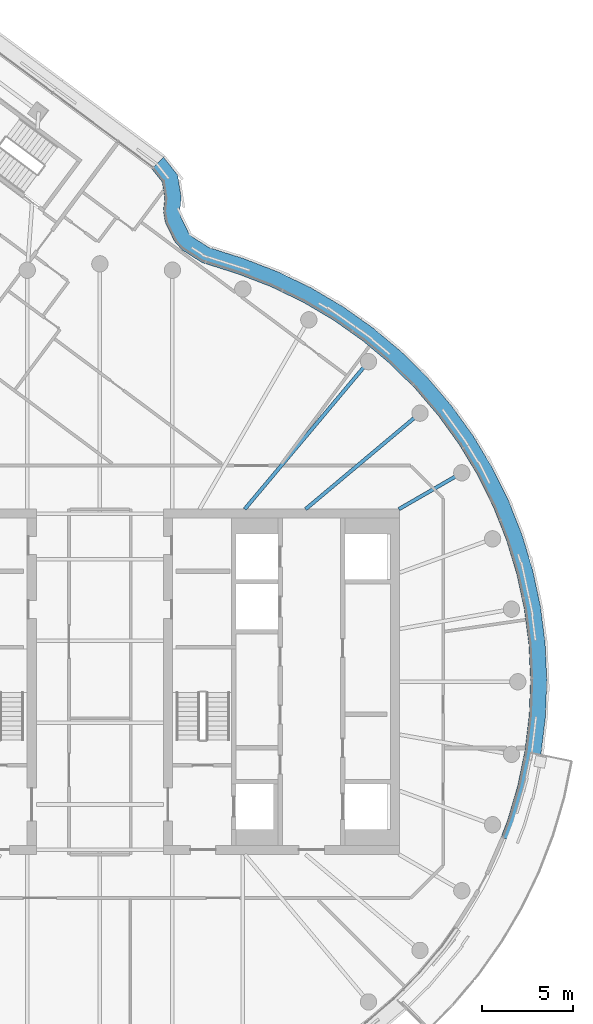
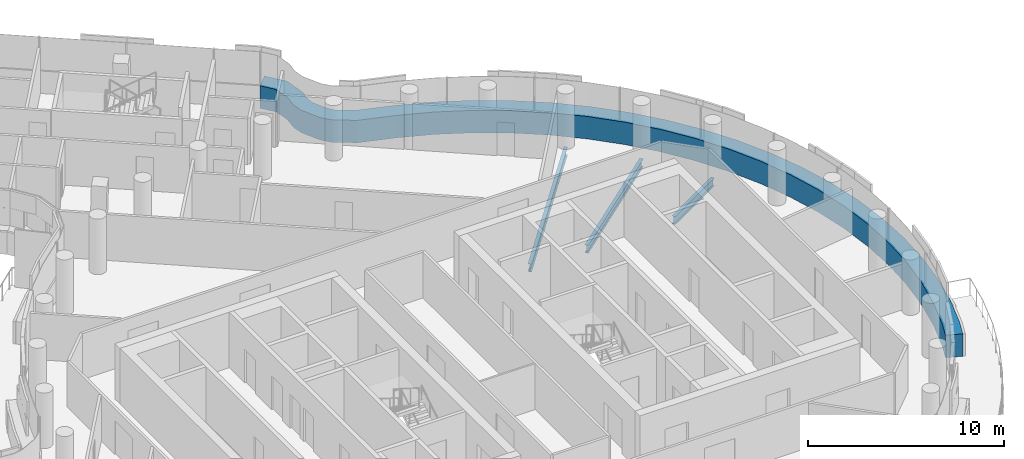
# One storey, part 12 of 27: 3 beams, 1 member, 1 element without a shape of its own.
"""IFC4 building model written with IfcOpenShell, lengths in metres."""

import ifcopenshell
import ifcopenshell.guid

model = None  # the IFC model being written
_history = None  # IfcOwnerHistory: only IFC2X3 demands one
_inside = {}  # id of a spatial element -> (the spatial element, [elements in it])
_under = {}  # id of a project, library or spatial element -> (it, [spatial elements below it])
_declared = {}  # id of a project -> (the project, [libraries it declares])
_typed = {}  # id of a type object -> (the type object, [elements of that type])
_made_of = {}  # id of a material, layer set ... -> (it, [elements and type objects made of it])


def new_model(schema):
    """Start an empty IFC model of exactly this schema.

    Asked for "IFC4X3", IfcOpenShell would pick the latest addendum, in which some entities
    have other attributes; the version numbers below select the first issue.
    IFC2X3 requires an IfcOwnerHistory on every rooted entity: one is made here for all.
    """
    global model, _history
    if schema == "IFC4X3":
        model = ifcopenshell.file(schema_version=(4, 3, 0, 0))
    else:
        model = ifcopenshell.file(schema=schema)
    _inside.clear()
    _under.clear()
    _declared.clear()
    _typed.clear()
    _made_of.clear()
    _history = None
    if model.schema == "IFC2X3":
        org = make("IfcOrganization", Name="unknown")
        user = make(
            "IfcPersonAndOrganization",
            ThePerson=make("IfcPerson", FamilyName="unknown"),
            TheOrganization=org,
        )
        app = make(
            "IfcApplication",
            ApplicationDeveloper=org,
            Version="unknown",
            ApplicationFullName="unknown",
            ApplicationIdentifier="unknown",
        )
        _history = make(
            "IfcOwnerHistory",
            OwningUser=user,
            OwningApplication=app,
            ChangeAction="ADDED",
            CreationDate=0,
        )
    return model


def make(cls, **values):
    """One entity of the class cls with the attributes given. An attribute that is None is left unset."""
    return model.create_entity(
        cls, **{name: value for name, value in values.items() if value is not None}
    )


def rooted(cls, **values):
    """An entity with a GlobalId (a new one), such as an element, a storey or a relation."""
    return make(cls, GlobalId=ifcopenshell.guid.new(), OwnerHistory=_history, **values)


def si_unit(unit_type, name, prefix=None):
    """IfcSIUnit, for example si_unit("LENGTHUNIT", "METRE", prefix="MILLI")."""
    return make("IfcSIUnit", UnitType=unit_type, Prefix=prefix, Name=name)


def assignment(units):
    """IfcUnitAssignment: the units of a project."""
    return None if units is None else make("IfcUnitAssignment", Units=units)


def point(xyz):
    """IfcCartesianPoint."""
    return None if xyz is None else make("IfcCartesianPoint", Coordinates=xyz)


def direction(xyz):
    """IfcDirection."""
    return None if xyz is None else make("IfcDirection", DirectionRatios=xyz)


def frame(location, z_axis=None, x_axis=None):
    """IfcAxis2Placement3D, a coordinate frame: its origin and axes. An axis left out is left unset."""
    return make(
        "IfcAxis2Placement3D",
        Location=point(location),
        Axis=direction(z_axis),
        RefDirection=direction(x_axis),
    )


def frame_2d(location, x_axis=None):
    """IfcAxis2Placement2D, a coordinate frame in the plane: its origin and x axis."""
    return make(
        "IfcAxis2Placement2D", Location=point(location), RefDirection=direction(x_axis)
    )


def origin():
    """The frame at (0, 0, 0) with its axes left unset."""
    return frame((0.0, 0.0, 0.0))


def origin_2d():
    """The frame at (0, 0) in the plane with its x axis left unset."""
    return frame_2d((0.0, 0.0))


def place(relative_to, where):
    """IfcLocalPlacement: puts the frame where relative to a parent placement (None: the world)."""
    return make(
        "IfcLocalPlacement", PlacementRelTo=relative_to, RelativePlacement=where
    )


def context(
    kind, dimensions, precision=None, world=None, true_north=None, identifier=None
):
    """IfcGeometricRepresentationContext, for example the 3D "Model" context."""
    return make(
        "IfcGeometricRepresentationContext",
        ContextIdentifier=identifier,
        ContextType=kind,
        CoordinateSpaceDimension=dimensions,
        Precision=precision,
        WorldCoordinateSystem=world,
        TrueNorth=true_north,
    )


def subcontext(parent, identifier, kind, view, scale=None):
    """IfcGeometricRepresentationSubContext, for example "Body" below "Model"."""
    return make(
        "IfcGeometricRepresentationSubContext",
        ContextIdentifier=identifier,
        ContextType=kind,
        ParentContext=parent,
        TargetScale=scale,
        TargetView=view,
    )


def project(units=None, contexts=None):
    """IfcProject with its units and contexts."""
    return rooted(
        "IfcProject",
        Name="project",
        RepresentationContexts=contexts,
        UnitsInContext=assignment(units),
    )


def spatial(cls, under=None, at=None, **own):
    """A site, building, storey or space (cls), placed at a placement, below another one or the project."""
    s = rooted(cls, ObjectPlacement=at, **own)
    if under is not None:
        _under.setdefault(under.id(), (under, []))[1].append(s)
    return s


def polyline(points):
    """IfcPolyline through the points."""
    return make("IfcPolyline", Points=[point(p) for p in points])


def profile(cls, at=None, kind="AREA", **sizes):
    """A parametric profile (cls). Its sizes go by their IFC names, for example OverallWidth=200.0."""
    return make(cls, ProfileType=kind, Position=at, **sizes)


def i_section(**sizes):
    """IfcIShapeProfileDef."""
    return profile("IfcIShapeProfileDef", **sizes)


def outline(outer, holes=None, kind="AREA"):
    """IfcArbitraryClosedProfileDef: a profile drawn as a closed curve; with holes, ...WithVoids."""
    if holes is None:
        return make("IfcArbitraryClosedProfileDef", ProfileType=kind, OuterCurve=outer)
    return make(
        "IfcArbitraryProfileDefWithVoids",
        ProfileType=kind,
        OuterCurve=outer,
        InnerCurves=holes,
    )


def extrude(swept, where, along, depth):
    """IfcExtrudedAreaSolid: the profile swept, set in the frame where, extruded along a direction by depth."""
    return make(
        "IfcExtrudedAreaSolid",
        SweptArea=swept,
        Position=where,
        ExtrudedDirection=direction(along),
        Depth=depth,
    )


def shape(context_of_items, identifier, shape_type, items):
    """IfcShapeRepresentation: the items that make up one representation, for example the "Body"."""
    return make(
        "IfcShapeRepresentation",
        ContextOfItems=context_of_items,
        RepresentationIdentifier=identifier,
        RepresentationType=shape_type,
        Items=items,
    )


def material(Name=None, Category=None):
    """IfcMaterial."""
    return make("IfcMaterial", Name=Name, Category=Category)


def layer(
    of_material, thickness, ventilated=None, Name=None, Category=None, Priority=None
):
    """IfcMaterialLayer: one layer of a wall or slab, of a material (None: an air gap)."""
    return make(
        "IfcMaterialLayer",
        Material=of_material,
        LayerThickness=thickness,
        IsVentilated=ventilated,
        Name=Name,
        Category=Category,
        Priority=Priority,
    )


def layer_set(layers, Name=None):
    """IfcMaterialLayerSet."""
    return make("IfcMaterialLayerSet", MaterialLayers=layers, LayerSetName=Name)


def material_profile(
    of_material, cross_section, Name=None, Category=None, Priority=None
):
    """IfcMaterialProfile: a cross section and its material."""
    return make(
        "IfcMaterialProfile",
        Name=Name,
        Material=of_material,
        Profile=cross_section,
        Priority=Priority,
        Category=Category,
    )


def profile_set(profiles, Name=None, composite=None):
    """IfcMaterialProfileSet."""
    return make(
        "IfcMaterialProfileSet",
        Name=Name,
        MaterialProfiles=profiles,
        CompositeProfile=composite,
    )


def made_of(thing, what):
    """Note that an element or type object is made of a material, layer set ...; save() writes the relation."""
    if what is not None:
        _made_of.setdefault(what.id(), (what, []))[1].append(thing)
    return thing


def type_object(cls, material=None, **own):
    """A type object (cls), such as IfcWallType, which elements share."""
    return made_of(rooted(cls, **own), material)


def element(
    cls,
    number,
    at=None,
    inside=None,
    cuts=None,
    type_object=None,
    material=None,
    context=None,
    identifier="Body",
    shape_type=None,
    held_by="IfcProductDefinitionShape",
    body=None,
    shapes=None,
    **own,
):
    """One element of the class cls, such as IfcWall. Its Tag is "e" and its number.

    at: its placement. inside: the storey or other place that contains it. cuts: it is an
    opening in that element (IfcRelVoidsElement). A single representation is given by context,
    identifier, shape_type and body (its items); several are given by shapes. held_by: the class
    of the entity that holds the representations. save() writes the other relations.
    """
    e = rooted(cls, Tag="e%d" % number, ObjectPlacement=at, **own)
    if body is not None:
        shapes = [shape(context, identifier, shape_type, body)]
    if shapes is not None:
        e.Representation = make(held_by, Representations=shapes)
    if inside is not None:
        _inside.setdefault(inside.id(), (inside, []))[1].append(e)
    if cuts is not None:
        rooted(
            "IfcRelVoidsElement", RelatingBuildingElement=cuts, RelatedOpeningElement=e
        )
    if type_object is not None:
        _typed.setdefault(type_object.id(), (type_object, []))[1].append(e)
    return made_of(e, material)


def aggregate(whole, parts):
    """IfcRelAggregates: a whole, such as a stair, and the parts it consists of."""
    return rooted("IfcRelAggregates", RelatingObject=whole, RelatedObjects=parts)


def save(model, path):
    """Write the relations noted so far, then the file.

    IfcRelAggregates (storeys below a building ...), IfcRelContainedInSpatialStructure (elements
    in a storey), IfcRelDefinesByType, IfcRelAssociatesMaterial and IfcRelDeclares: one each for
    every whole, place, type object, material and project.
    """
    for whole, parts in _under.values():
        aggregate(whole, parts)
    for where, things in _inside.values():
        rooted(
            "IfcRelContainedInSpatialStructure",
            RelatedElements=things,
            RelatingStructure=where,
        )
    for kind, things in _typed.values():
        rooted("IfcRelDefinesByType", RelatedObjects=things, RelatingType=kind)
    for what, things in _made_of.values():
        rooted("IfcRelAssociatesMaterial", RelatedObjects=things, RelatingMaterial=what)
    for by, libraries in _declared.values():
        rooted("IfcRelDeclares", RelatingContext=by, RelatedDefinitions=libraries)
    model.write(path)


model = new_model("IFC4")

# Units and contexts
model_context = context("Model", 3, precision=1e-05, world=origin(), true_north=direction((0.0, 1.0)))
body_context = subcontext(model_context, "Body", "Model", "MODEL_VIEW")
ifc_project = project(units=[si_unit("LENGTHUNIT", "METRE"), si_unit("AREAUNIT", "SQUARE_METRE"), si_unit("VOLUMEUNIT", "CUBIC_METRE"), si_unit("PLANEANGLEUNIT", "RADIAN"), si_unit("MASSUNIT", "GRAM", prefix="KILO")], contexts=[model_context])

# Site, building, storey
site_placement = place(None, origin())
site = spatial("IfcSite", under=ifc_project, at=site_placement, CompositionType="ELEMENT")
building_placement = place(site_placement, origin())
building = spatial("IfcBuilding", under=site, at=building_placement, Name="Tamarind Cross Interchange Tower", CompositionType="ELEMENT")
storey_placement = place(building_placement, frame((0.0, 0.0, 227.10009765625)))
storey = spatial("IfcBuildingStorey", under=building, at=storey_placement, Name="L57", CompositionType="ELEMENT", Elevation=227.10009765625)

# Beams
ifc_material_1 = material(Name="Steel Q355B", Category="steel")
ifc_material_profile = material_profile(ifc_material_1, i_section(OverallWidth=0.198974609375, OverallDepth=0.49609375, WebThickness=0.009033203125, FlangeThickness=0.013916015625, FilletRadius=0.012939453125, at=origin_2d()), Name="HN 496x199x9x14")
ifc_profile_set = profile_set([ifc_material_profile], Name="Steel Q355B")
beam_type = type_object("IfcBeamType", Name="Composite beam HN 496x199x9x14 Q355B", PredefinedType="BEAM", material=ifc_profile_set)
beam_1_placement = place(storey_placement, frame((19.918701171875, 11.5, -0.38818359375), z_axis=(-0.866026010844, -0.49999894854, 0.0), x_axis=(0.49999894854, -0.866026010844, 0.0)))
element("IfcBeam", 1, at=beam_1_placement, inside=storey, type_object=beam_type, Name="Beam HH03", PredefinedType="BEAM", context=body_context, shape_type="SweptSolid", body=[
    extrude(i_section(OverallWidth=0.198974609375, OverallDepth=0.49609375, WebThickness=0.009033203125, FlangeThickness=0.013916015625, FilletRadius=0.012939453125, at=origin_2d()), origin(), (0.0, 0.0, 1.0), 4.0),
])
beam_2_placement = place(storey_placement, frame((17.619140625, 14.7841796875, -0.38818359375), z_axis=(-0.766040580814, -0.642792212574, 0.0), x_axis=(0.642792212574, -0.766040580814, 0.0)))
element("IfcBeam", 2, at=beam_2_placement, inside=storey, type_object=beam_type, Name="Beam HH04", PredefinedType="BEAM", context=body_context, shape_type="SweptSolid", body=[
    extrude(i_section(OverallWidth=0.198974609375, OverallDepth=0.49609375, WebThickness=0.009033203125, FlangeThickness=0.013916015625, FilletRadius=0.012939453125, at=origin_2d()), origin(), (0.0, 0.0, 1.0), 8.220703125),
])
beam_3_placement = place(storey_placement, frame((14.7841796875, 17.619140625, -0.38818359375), z_axis=(-0.642786293979, -0.766045547127, 0.0), x_axis=(0.766045547127, -0.642786293979, 0.0)))
element("IfcBeam", 3, at=beam_3_placement, inside=storey, type_object=beam_type, Name="Beam HH05", PredefinedType="BEAM", context=body_context, shape_type="SweptSolid", body=[
    extrude(i_section(OverallWidth=0.198974609375, OverallDepth=0.49609375, WebThickness=0.009033203125, FlangeThickness=0.013916015625, FilletRadius=0.012939453125, at=origin_2d()), origin(), (0.0, 0.0, 1.0), 10.598876953125),
])

# Curtain wall, member
ifc_material_2 = material(Name="Aluminium 6063-T6", Category="aluminium")
ifc_layer = layer(ifc_material_2, 0.139892578125)
ifc_layer_set = layer_set([ifc_layer], Name="Aluminium 6063-T6")
curtain_wall_type = type_object("IfcCurtainWallType", Name="Hotel curtain wall, 4.5 m bays", PredefinedType="NOTDEFINED", material=ifc_layer_set)
curtain_wall_placement = place(storey_placement, origin())
curtain_wall = element("IfcCurtainWall", 4, at=curtain_wall_placement, inside=storey, type_object=curtain_wall_type, Name="CWS-L57-02", PredefinedType="NOTDEFINED")
ifc_material_3 = material(Name="Aluminium and insulated spandrel panel", Category="aluminium")
member_type = type_object("IfcMemberType", Name="Floor-edge blade transom", PredefinedType="USERDEFINED", material=ifc_material_3)
member_placement = place(storey_placement, origin())
member = element("IfcMember", 5, at=member_placement, type_object=member_type, Name="CWT-L57-02-1", ObjectType="TRANSOM", PredefinedType="USERDEFINED", context=body_context, shape_type="SweptSolid", body=[
    extrude(outline(polyline([(22.08154296875, -8.539794921875), (22.444580078125, -7.597412109375), (22.995361328125, -5.718017578125), (23.38916015625, -3.799560546875), (23.623046875, -1.855224609375), (23.695556640625, 0.10205078125), (23.606201171875, 2.058349609375), (23.35546875, 4.000732421875), (22.9453125, 5.915771484375), (22.37841796875, 7.790283203125), (21.65869140625, 9.61181640625), (20.791015625, 11.367431640625), (19.78125, 13.045654296875), (18.636474609375, 14.634521484375), (17.3642578125, 16.12353515625), (15.973388671875, 17.50244140625), (14.4736328125, 18.76171875), (12.874755859375, 19.892822265625), (11.188232421875, 20.88818359375), (9.425048828125, 21.74072265625), (7.594482421875, 22.44580078125), (5.621826171875, 23.072021484375), (4.521484375, 23.7705078125), (4.10888671875, 24.23291015625), (3.60009765625, 25.2822265625), (3.492431640625, 25.892578125), (3.5673828125, 26.623046875), (3.42724609375, 27.514892578125), (2.865234375, 28.22119140625), (3.4970703125, 28.872802734375), (4.279541015625, 27.88916015625), (4.474609375, 26.6474609375), (4.400634765625, 25.92529296875), (4.464599609375, 25.562255859375), (4.864013671875, 24.738525390625), (5.109619140625, 24.463134765625), (6.00537109375, 23.89453125), (7.892822265625, 23.29541015625), (9.783203125, 22.567138671875), (11.613525390625, 21.68212890625), (13.3642578125, 20.64892578125), (15.023681640625, 19.474853515625), (16.580810546875, 18.167724609375), (18.0244140625, 16.736572265625), (19.344970703125, 15.19091796875), (20.533203125, 13.54150390625), (21.581298828125, 11.799560546875), (22.482177734375, 9.97705078125), (23.229248046875, 8.08642578125), (23.817626953125, 6.140625), (24.243408203125, 4.15283203125), (24.50341796875, 2.13671875), (24.59619140625, 0.10595703125), (24.52099609375, -1.925537109375), (24.2783203125, -3.944091796875), (23.86962890625, -5.935302734375), (23.2978515625, -7.88623046875), (22.921142578125, -8.864501953125), (22.08154296875, -8.539794921875)])), origin(), (0.0, 0.0, 1.0), 1.39990234375),
])
aggregate(curtain_wall, [member])

save(model, "model.ifc")
